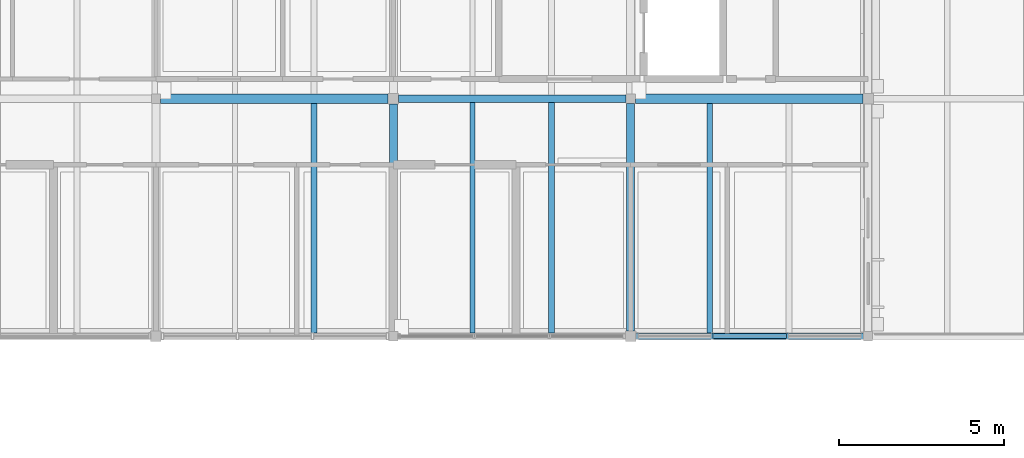
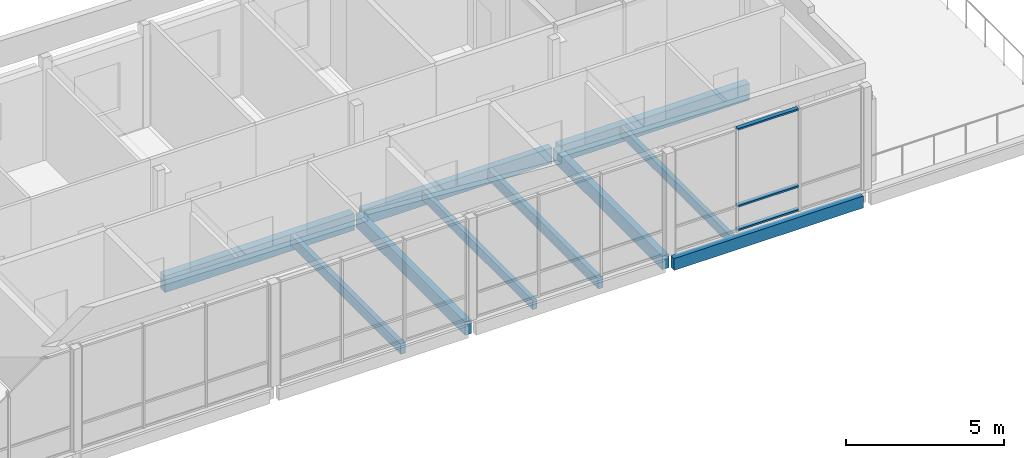
# One storey, part 13 of 32: 10 beams, 3 members, 1 element without a shape of its own.
"""IFC4 building model written with IfcOpenShell, lengths in metres."""

from ifc_helpers import new_model, si_unit, direction, frame, origin, origin_2d, place, context, subcontext, project, spatial, rectangle, hollow_rectangle, extrude, material, material_profile, profile_set, type_object, element, aggregate, save


model = new_model("IFC4")

# Units and contexts
model_context = context("Model", 3, precision=1e-05, world=origin(), true_north=direction((0.0, 1.0)))
body_context = subcontext(model_context, "Body", "Model", "MODEL_VIEW")
ifc_project = project(units=[si_unit("LENGTHUNIT", "METRE"), si_unit("AREAUNIT", "SQUARE_METRE"), si_unit("VOLUMEUNIT", "CUBIC_METRE"), si_unit("PLANEANGLEUNIT", "RADIAN"), si_unit("MASSUNIT", "GRAM", prefix="KILO")], contexts=[model_context])

# Site, building, storey
site_placement = place(None, origin())
site = spatial("IfcSite", under=ifc_project, at=site_placement, CompositionType="ELEMENT")
building_placement = place(site_placement, origin())
building = spatial("IfcBuilding", under=site, at=building_placement, Name="Hawrajan Terrace Health Centre", CompositionType="ELEMENT")
storey_placement = place(building_placement, frame((0.0, 0.0, 17.39990234375)))
storey = spatial("IfcBuildingStorey", under=building, at=storey_placement, Name="L04", CompositionType="ELEMENT", Elevation=17.39990234375)

# Curtain wall, members
ifc_material_1 = material(Name="Anodized bronze aluminium and low-E solar glazing", Category="aluminium")
curtain_wall_type = type_object("IfcCurtainWallType", Name="CW_Hall_SeriesD1", PredefinedType="USERDEFINED", material=ifc_material_1)
curtain_wall_placement = place(storey_placement, origin())
curtain_wall = element("IfcCurtainWall", 1, at=curtain_wall_placement, inside=storey, type_object=curtain_wall_type, Name="Curtain wall CW-L04-178", ObjectType="UNITISED CURTAIN WALL", PredefinedType="USERDEFINED")
ifc_material_2 = material(Name="Anodized bronze aluminium 6063-T6", Category="aluminium")
ifc_material_profile_1 = material_profile(ifc_material_2, hollow_rectangle(XDim=0.06494140625, YDim=0.14990234375, WallThickness=0.00390625, at=origin_2d()), Name="CW TRN 65x150")
ifc_profile_set_1 = profile_set([ifc_material_profile_1], Name="Anodized bronze aluminium 6063-T6")
member_type = type_object("IfcMemberType", Name="CWTransom_65x150", PredefinedType="USERDEFINED", material=ifc_profile_set_1)
member_1_placement = place(storey_placement, frame((50.29736328125, 45.39990234375, 0.03271484375), z_axis=(1.0, 0.0, 0.0), x_axis=(0.0, 0.0, 1.0)))
member_1 = element("IfcMember", 2, at=member_1_placement, type_object=member_type, Name="Transom CW-L04-178-T2-1", ObjectType="TRANSOM", PredefinedType="USERDEFINED", context=body_context, shape_type="SweptSolid", body=[
    extrude(hollow_rectangle(XDim=0.06494140625, YDim=0.14990234375, WallThickness=0.00390625, at=origin_2d()), origin(), (0.0, 0.0, 1.0), 2.225341796875),
])
member_2_placement = place(storey_placement, frame((50.29736328125, 45.39990234375, 0.9501953125), z_axis=(1.0, 0.0, 0.0), x_axis=(0.0, 0.0, 1.0)))
member_2 = element("IfcMember", 3, at=member_2_placement, type_object=member_type, Name="Transom CW-L04-178-T2-2", ObjectType="TRANSOM", PredefinedType="USERDEFINED", context=body_context, shape_type="SweptSolid", body=[
    extrude(hollow_rectangle(XDim=0.06494140625, YDim=0.14990234375, WallThickness=0.00390625, at=origin_2d()), origin(), (0.0, 0.0, 1.0), 2.225341796875),
])
member_3_placement = place(storey_placement, frame((50.29736328125, 45.39990234375, 3.91748046875), z_axis=(1.0, 0.0, 0.0), x_axis=(0.0, 0.0, 1.0)))
member_3 = element("IfcMember", 4, at=member_3_placement, type_object=member_type, Name="Transom CW-L04-178-T2-3", ObjectType="TRANSOM", PredefinedType="USERDEFINED", context=body_context, shape_type="SweptSolid", body=[
    extrude(hollow_rectangle(XDim=0.06494140625, YDim=0.14990234375, WallThickness=0.00390625, at=origin_2d()), origin(), (0.0, 0.0, 1.0), 2.225341796875),
])
aggregate(curtain_wall, [member_1, member_2, member_3])

# Beams
ifc_material_3 = material(Name="Glulam GL32h", Category="wood")
ifc_material_profile_2 = material_profile(ifc_material_3, rectangle(XDim=0.239990234375, YDim=0.52001953125, at=origin_2d()), Name="GL BM 240x520")
ifc_profile_set_2 = profile_set([ifc_material_profile_2], Name="Glulam GL32h")
beam_type_1 = type_object("IfcBeamType", Name="GlulamGirder_240x520", PredefinedType="BEAM", material=ifc_profile_set_2)
for number, where, z_axis, x_axis, name in (
    (5, (40.60009765625, 45.5400390625, -0.449951171875), (0.0, 1.0, 0.0), (-1.0, 0.0, 0.0), "Beam BM-Y-L04-W-X06-6"),
    (6, (47.800048828125, 45.56005859375, -0.449951171875), (0.0, 1.0, 0.0), (-1.0, 0.0, 0.0), "Beam BM-Y-L04-W-X07-6"),
):
    element("IfcBeam", number, at=place(storey_placement, frame(where, z_axis=z_axis, x_axis=x_axis)), inside=storey, type_object=beam_type_1, Name=name, PredefinedType="BEAM", context=body_context, shape_type="SweptSolid", body=[
        extrude(rectangle(XDim=0.239990234375, YDim=0.52001953125, at=origin_2d()), origin(), (0.0, 0.0, 1.0), 6.89990234375),
    ])
ifc_material_profile_3 = material_profile(ifc_material_3, rectangle(XDim=0.239990234375, YDim=0.60009765625, at=origin_2d()), Name="GL BM 240x600")
ifc_profile_set_3 = profile_set([ifc_material_profile_3], Name="Glulam GL32h")
beam_type_2 = type_object("IfcBeamType", Name="GlulamGirder_240x600", PredefinedType="BEAM", material=ifc_profile_set_3)
beam_1_placement = place(storey_placement, frame((40.760009765625, 52.60009765625, -0.489990234375), z_axis=(1.0, 0.0, 0.0), x_axis=(0.0, 1.0, 0.0)))
element("IfcBeam", 7, at=beam_1_placement, inside=storey, type_object=beam_type_2, Name="Beam BM-X-L04-W-06-Y7", PredefinedType="BEAM", context=body_context, shape_type="SweptSolid", body=[
    extrude(rectangle(XDim=0.239990234375, YDim=0.60009765625, at=origin_2d()), origin(), (0.0, 0.0, 1.0), 6.89990234375),
])
ifc_material_profile_4 = material_profile(ifc_material_3, rectangle(XDim=0.280029296875, YDim=0.639892578125, at=origin_2d()), Name="GL BM 280x640")
ifc_profile_set_4 = profile_set([ifc_material_profile_4], Name="Glulam GL32h")
beam_type_3 = type_object("IfcBeamType", Name="GlulamGirder_280x640", PredefinedType="BEAM", material=ifc_profile_set_4)
beam_2_placement = place(storey_placement, frame((33.5400390625, 52.60009765625, -0.510009765625), z_axis=(1.0, 0.0, 0.0), x_axis=(0.0, 1.0, 0.0)))
element("IfcBeam", 8, at=beam_2_placement, inside=storey, type_object=beam_type_3, Name="Beam BM-X-L04-W-05-Y7", PredefinedType="BEAM", context=body_context, shape_type="SweptSolid", body=[
    extrude(rectangle(XDim=0.280029296875, YDim=0.639892578125, at=origin_2d()), origin(), (0.0, 0.0, 1.0), 6.89990234375),
])
beam_3_placement = place(storey_placement, frame((47.93994140625, 52.60009765625, -0.539794921875), z_axis=(1.0, 0.0, 0.0), x_axis=(0.0, 1.0, 0.0)))
element("IfcBeam", 9, at=beam_3_placement, inside=storey, type_object=beam_type_3, Name="Beam BM-X-L04-W-07-Y7", PredefinedType="BEAM", context=body_context, shape_type="SweptSolid", body=[
    extrude(rectangle(XDim=0.280029296875, YDim=0.639892578125, at=origin_2d()), origin(), (0.0, 0.0, 1.0), 6.900146484375),
])
ifc_material_4 = material(Name="Glulam GL28h", Category="wood")
ifc_material_profile_5 = material_profile(ifc_material_4, rectangle(XDim=0.159912109375, YDim=0.360107421875, at=origin_2d()), Name="GL JST 160x360")
ifc_profile_set_5 = profile_set([ifc_material_profile_5], Name="Glulam GL28h")
beam_type_4 = type_object("IfcBeamType", Name="GlulamJoist_160x360", PredefinedType="JOIST", material=ifc_profile_set_5)
beam_4_placement = place(storey_placement, frame((43.0, 45.5, -0.369873046875), z_axis=(0.0, 1.0, 0.0), x_axis=(-1.0, 0.0, 0.0)))
element("IfcBeam", 10, at=beam_4_placement, inside=storey, type_object=beam_type_4, Name="Secondary joist JST-L04-W-06-6-1", PredefinedType="JOIST", context=body_context, shape_type="SweptSolid", body=[
    extrude(rectangle(XDim=0.159912109375, YDim=0.360107421875, at=origin_2d()), origin(), (0.0, 0.0, 1.0), 6.97998046875),
])
beam_5_placement = place(storey_placement, frame((50.199951171875, 45.5, -0.39990234375), z_axis=(0.0, 1.0, 0.0), x_axis=(-1.0, 0.0, 0.0)))
element("IfcBeam", 11, at=beam_5_placement, inside=storey, type_object=beam_type_4, Name="Secondary joist JST-L04-W-07-6-1", PredefinedType="JOIST", context=body_context, shape_type="SweptSolid", body=[
    extrude(rectangle(XDim=0.159912109375, YDim=0.360107421875, at=origin_2d()), origin(), (0.0, 0.0, 1.0), 6.9599609375),
])
ifc_material_profile_6 = material_profile(ifc_material_4, rectangle(XDim=0.179931640625, YDim=0.39990234375, at=origin_2d()), Name="GL JST 180x400")
ifc_profile_set_6 = profile_set([ifc_material_profile_6], Name="Glulam GL28h")
beam_type_5 = type_object("IfcBeamType", Name="GlulamJoist_180x400", PredefinedType="JOIST", material=ifc_profile_set_6)
beam_6_placement = place(storey_placement, frame((38.199951171875, 45.5, -0.389892578125), z_axis=(0.0, 1.0, 0.0), x_axis=(-1.0, 0.0, 0.0)))
element("IfcBeam", 12, at=beam_6_placement, inside=storey, type_object=beam_type_5, Name="Secondary joist JST-L04-W-05-6-2", PredefinedType="JOIST", context=body_context, shape_type="SweptSolid", body=[
    extrude(rectangle(XDim=0.179931640625, YDim=0.39990234375, at=origin_2d()), origin(), (0.0, 0.0, 1.0), 6.9599609375),
])
beam_7_placement = place(storey_placement, frame((45.39990234375, 45.5, -0.389892578125), z_axis=(0.0, 1.0, 0.0), x_axis=(-1.0, 0.0, 0.0)))
element("IfcBeam", 13, at=beam_7_placement, inside=storey, type_object=beam_type_5, Name="Secondary joist JST-L04-W-06-6-2", PredefinedType="JOIST", context=body_context, shape_type="SweptSolid", body=[
    extrude(rectangle(XDim=0.179931640625, YDim=0.39990234375, at=origin_2d()), origin(), (0.0, 0.0, 1.0), 6.97998046875),
])
ifc_material_profile_7 = material_profile(ifc_material_3, rectangle(XDim=0.199951171875, YDim=0.4599609375, at=origin_2d()), Name="GL SP 200x460")
ifc_profile_set_7 = profile_set([ifc_material_profile_7], Name="Glulam GL32h")
beam_type_6 = type_object("IfcBeamType", Name="GlulamSpandrel_200x460", PredefinedType="SPANDREL", material=ifc_profile_set_7)
beam_8_placement = place(storey_placement, frame((47.9599609375, 45.39990234375, -0.449951171875), z_axis=(1.0, 0.0, 0.0), x_axis=(0.0, 1.0, 0.0)))
element("IfcBeam", 14, at=beam_8_placement, inside=storey, type_object=beam_type_6, Name="Beam BM-X-L04-W-07-Y6", PredefinedType="SPANDREL", context=body_context, shape_type="SweptSolid", body=[
    extrude(rectangle(XDim=0.199951171875, YDim=0.4599609375, at=origin_2d()), origin(), (0.0, 0.0, 1.0), 6.900146484375),
])

save(model, "model.ifc")
